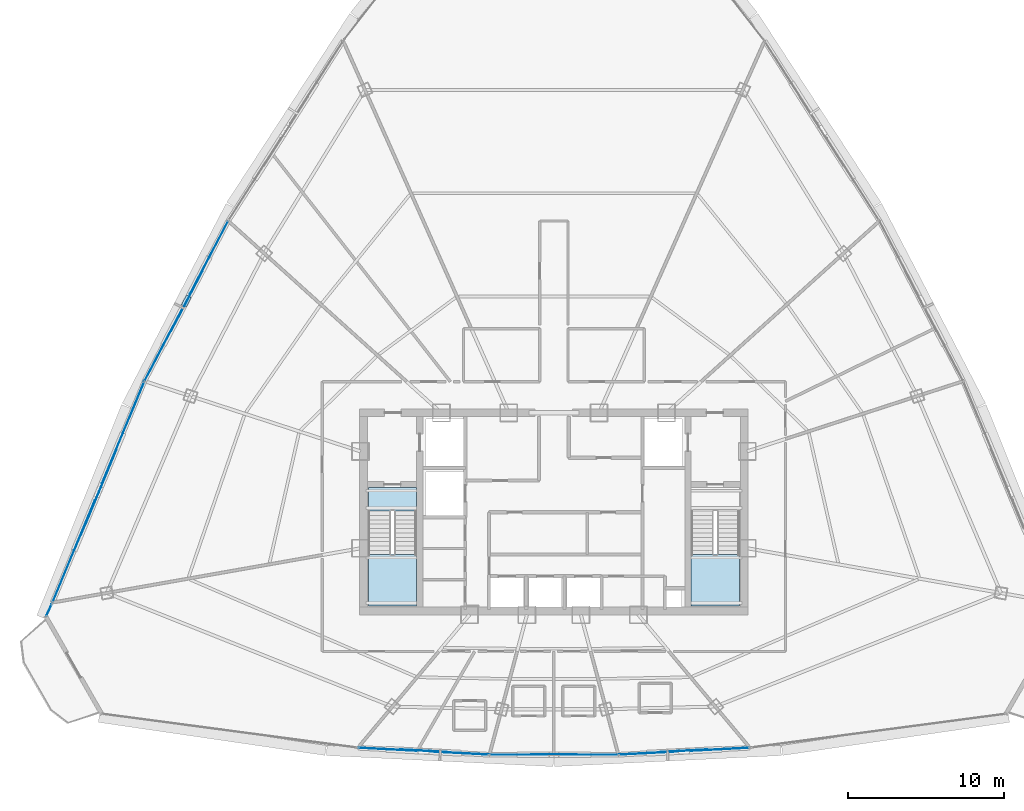
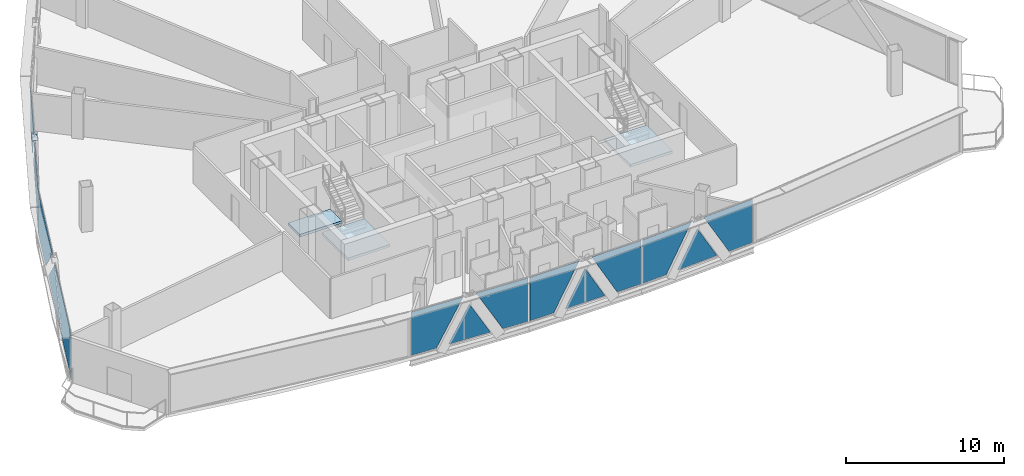
# One storey, part 28 of 37: 17 plates, 3 slabs, 8 elements without a shape of their own.
"""IFC4 building model written with IfcOpenShell, lengths in metres."""

from ifc_helpers import new_model, si_unit, direction, frame, origin, origin_2d, place, context, subcontext, project, spatial, polyline, rectangle, outline, extrude, source, transform, mapped, material, layer, layer_set, type_object, element, aggregate, save


model = new_model("IFC4")

# Units and contexts
model_context = context("Model", 3, precision=1e-05, world=origin(), true_north=direction((0.0, 1.0)))
body_context = subcontext(model_context, "Body", "Model", "MODEL_VIEW")
ifc_project = project(units=[si_unit("LENGTHUNIT", "METRE"), si_unit("AREAUNIT", "SQUARE_METRE"), si_unit("VOLUMEUNIT", "CUBIC_METRE"), si_unit("PLANEANGLEUNIT", "RADIAN"), si_unit("MASSUNIT", "GRAM", prefix="KILO"), si_unit("THERMODYNAMICTEMPERATUREUNIT", "KELVIN"), si_unit("POWERUNIT", "WATT")], contexts=[model_context])

# Site, building, storey
site_placement = place(None, origin())
site = spatial("IfcSite", under=ifc_project, at=site_placement, CompositionType="ELEMENT")
building_placement = place(site_placement, origin())
building = spatial("IfcBuilding", under=site, at=building_placement, Name="Yunzhuo Pagoda Commons", CompositionType="ELEMENT")
storey_placement = place(building_placement, frame((0.0, 0.0, 277.56005859375)))
storey = spatial("IfcBuildingStorey", under=building, at=storey_placement, Name="L69", CompositionType="ELEMENT", Elevation=277.56005859375)

# Curtain wall, plates
ifc_material_1 = material(Name="Anodized aluminium 6063-T6", Category="aluminium")
ifc_layer_1 = layer(ifc_material_1, 0.139892578125)
ifc_layer_set_1 = layer_set([ifc_layer_1], Name="Anodized aluminium 6063-T6")
curtain_wall_type = type_object("IfcCurtainWallType", Name="CW-HI High-Zone Ribbon Curtain Wall", PredefinedType="NOTDEFINED", material=ifc_layer_set_1)
curtain_wall_1_placement = place(storey_placement, origin())
curtain_wall_1 = element("IfcCurtainWall", 1, at=curtain_wall_1_placement, inside=storey, type_object=curtain_wall_type, Name="L69 curtain wall CW-L69-F1B2", PredefinedType="NOTDEFINED")
ifc_material_2 = material(Name="Tempered low-e double glazing", Category="glass")
ifc_layer_2 = layer(ifc_material_2, 0.02587890625)
ifc_layer_set_2 = layer_set([ifc_layer_2], Name="Tempered low-e double glazing")
plate_type_1 = type_object("IfcPlateType", Name="CW-HI-P Low-E Double Glazing 26", PredefinedType="CURTAIN_PANEL", material=ifc_layer_set_2)
plate_1_placement = place(storey_placement, frame((37.33740234375, 18.634521484375, 1.73486328125), z_axis=(-0.052821657014, -0.998603961814, 0.0), x_axis=(0.998603961814, -0.052821657014, 0.0)))
plate_1 = element("IfcPlate", 2, at=plate_1_placement, type_object=plate_type_1, Name="CW panel 1.1 lite 1", PredefinedType="CURTAIN_PANEL", context=body_context, shape_type="SweptSolid", body=[
    extrude(outline(polyline([(-1.847900390625, -1.679931640625), (-0.05419921875, -1.679931640625), (1.847900390625, 1.679931640625), (-1.847900390625, 1.679931640625), (-1.847900390625, -1.679931640625)])), origin(), (0.0, 0.0, 1.0), 0.028076171875),
])
plate_2_placement = place(storey_placement, frame((39.6513671875, 18.542236328125, 1.376708984375), z_axis=(-0.052821657014, -0.998603961814, 0.0), x_axis=(0.998603961814, -0.052821657014, 0.0)))
plate_2 = element("IfcPlate", 3, at=plate_2_placement, type_object=plate_type_1, Name="CW panel 1.1 lite 2", PredefinedType="CURTAIN_PANEL", context=body_context, shape_type="SweptSolid", body=[
    extrude(outline(polyline([(-1.496826171875, -1.32177734375), (1.496826171875, -1.32177734375), (0.0, 1.32177734375), (-1.496826171875, -1.32177734375)])), origin(), (0.0, 0.0, 1.0), 0.028076171875),
])
plate_3_placement = place(storey_placement, frame((41.96240234375, 18.389892578125, 1.73486328125), z_axis=(-0.052821657014, -0.998603961814, 0.0), x_axis=(0.998603961814, -0.052821657014, 0.0)))
plate_3 = element("IfcPlate", 4, at=plate_3_placement, type_object=plate_type_1, Name="CW panel 1.1 lite 3", PredefinedType="CURTAIN_PANEL", context=body_context, shape_type="SweptSolid", body=[
    extrude(outline(polyline([(-1.847900390625, 1.679931640625), (0.054443359375, -1.679931640625), (1.847900390625, -1.679931640625), (1.847900390625, 1.679931640625), (-1.847900390625, 1.679931640625)])), origin(), (0.0, 0.0, 1.0), 0.028076171875),
])
aggregate(curtain_wall_1, [plate_1, plate_2, plate_3])

curtain_wall_2_placement = place(storey_placement, origin())
curtain_wall_2 = element("IfcCurtainWall", 5, at=curtain_wall_2_placement, inside=storey, type_object=curtain_wall_type, Name="L69 curtain wall CW-L69-F1B3", PredefinedType="NOTDEFINED")
plate_4_placement = place(storey_placement, frame((45.73095703125, 18.2890625, 1.73486328125), z_axis=(0.0, -1.0, 0.0), x_axis=(1.0, 0.0, 0.0)))
plate_4 = element("IfcPlate", 6, at=plate_4_placement, type_object=plate_type_1, Name="CW panel 1.1 lite 1", PredefinedType="CURTAIN_PANEL", context=body_context, shape_type="SweptSolid", body=[
    extrude(outline(polyline([(-1.80419921875, -1.679931640625), (-0.057373046875, -1.679931640625), (1.80419921875, 1.679931640625), (-1.80419921875, 1.679931640625), (-1.80419921875, -1.679931640625)])), origin(), (0.0, 0.0, 1.0), 0.028076171875),
])
plate_5_placement = place(storey_placement, frame((48.0, 18.3193359375, 1.370361328125), z_axis=(0.0, -1.0, 0.0), x_axis=(1.0, 0.0, 0.0)))
plate_5 = element("IfcPlate", 7, at=plate_5_placement, type_object=plate_type_1, Name="CW panel 1.1 lite 2", PredefinedType="CURTAIN_PANEL", context=body_context, shape_type="SweptSolid", body=[
    extrude(outline(polyline([(-1.45751953125, -1.3154296875), (1.45751953125, -1.3154296875), (0.0, 1.3154296875), (-1.45751953125, -1.3154296875)])), origin(), (0.0, 0.0, 1.0), 0.028076171875),
])
plate_6_placement = place(storey_placement, frame((50.26904296875, 18.2890625, 1.73486328125), z_axis=(0.0, -1.0, 0.0), x_axis=(1.0, 0.0, 0.0)))
plate_6 = element("IfcPlate", 8, at=plate_6_placement, type_object=plate_type_1, Name="CW panel 1.1 lite 3", PredefinedType="CURTAIN_PANEL", context=body_context, shape_type="SweptSolid", body=[
    extrude(outline(polyline([(-1.80419921875, 1.679931640625), (0.057373046875, -1.679931640625), (1.80419921875, -1.679931640625), (1.80419921875, 1.679931640625), (-1.80419921875, 1.679931640625)])), origin(), (0.0, 0.0, 1.0), 0.028076171875),
])
aggregate(curtain_wall_2, [plate_4, plate_5, plate_6])

curtain_wall_3_placement = place(storey_placement, origin())
curtain_wall_3 = element("IfcCurtainWall", 9, at=curtain_wall_3_placement, inside=storey, type_object=curtain_wall_type, Name="L69 curtain wall CW-L69-F1B4", PredefinedType="NOTDEFINED")
plate_7_placement = place(storey_placement, frame((54.03759765625, 18.389892578125, 1.73486328125), z_axis=(0.052821657014, -0.998603961814, 0.0), x_axis=(0.998603961814, 0.052821657014, 0.0)))
plate_7 = element("IfcPlate", 10, at=plate_7_placement, type_object=plate_type_1, Name="CW panel 1.1 lite 1", PredefinedType="CURTAIN_PANEL", context=body_context, shape_type="SweptSolid", body=[
    extrude(outline(polyline([(-1.847900390625, -1.679931640625), (-0.054443359375, -1.679931640625), (1.847900390625, 1.679931640625), (-1.847900390625, 1.679931640625), (-1.847900390625, -1.679931640625)])), origin(), (0.0, 0.0, 1.0), 0.028076171875),
])
plate_8_placement = place(storey_placement, frame((56.3486328125, 18.542236328125, 1.376708984375), z_axis=(0.052821657014, -0.998603961814, 0.0), x_axis=(0.998603961814, 0.052821657014, 0.0)))
plate_8 = element("IfcPlate", 11, at=plate_8_placement, type_object=plate_type_1, Name="CW panel 1.1 lite 2", PredefinedType="CURTAIN_PANEL", context=body_context, shape_type="SweptSolid", body=[
    extrude(outline(polyline([(-1.496826171875, -1.32177734375), (1.496826171875, -1.32177734375), (0.0, 1.32177734375), (-1.496826171875, -1.32177734375)])), origin(), (0.0, 0.0, 1.0), 0.028076171875),
])
plate_9_placement = place(storey_placement, frame((58.66259765625, 18.634521484375, 1.73486328125), z_axis=(0.052821657014, -0.998603961814, 0.0), x_axis=(0.998603961814, 0.052821657014, 0.0)))
plate_9 = element("IfcPlate", 12, at=plate_9_placement, type_object=plate_type_1, Name="CW panel 1.1 lite 3", PredefinedType="CURTAIN_PANEL", context=body_context, shape_type="SweptSolid", body=[
    extrude(outline(polyline([(-1.847900390625, 1.679931640625), (0.05419921875, -1.679931640625), (1.847900390625, -1.679931640625), (1.847900390625, 1.679931640625), (-1.847900390625, 1.679931640625)])), origin(), (0.0, 0.0, 1.0), 0.028076171875),
])
aggregate(curtain_wall_3, [plate_7, plate_8, plate_9])

curtain_wall_4_placement = place(storey_placement, origin())
curtain_wall_4 = element("IfcCurtainWall", 13, at=curtain_wall_4_placement, inside=storey, type_object=curtain_wall_type, Name="L69 curtain wall CW-L69-F3B3", PredefinedType="NOTDEFINED")
plate_10_placement = place(storey_placement, frame((25.895751953125, 50.13330078125, 1.73486328125), z_axis=(-0.886404488049, 0.462911528876, 0.0), x_axis=(-0.462911528876, -0.886404488049, 0.0)))
plate_10 = element("IfcPlate", 14, at=plate_10_placement, type_object=plate_type_1, Name="CW panel 1.1 lite 1", PredefinedType="CURTAIN_PANEL", context=body_context, shape_type="SweptSolid", body=[
    extrude(outline(polyline([(-2.605712890625, -1.679931640625), (-0.00439453125, -1.679931640625), (2.605712890625, 1.679931640625), (-2.605712890625, 1.679931640625), (-2.605712890625, -1.679931640625)])), origin(), (0.0, 0.0, 1.0), 0.028076171875),
])
plate_11_placement = place(storey_placement, frame((24.4736328125, 47.34521484375, 1.45263671875), z_axis=(-0.886404488049, 0.462911528876, 0.0), x_axis=(-0.462911528876, -0.886404488049, 0.0)))
plate_11 = element("IfcPlate", 15, at=plate_11_placement, type_object=plate_type_1, Name="CW panel 1.1 lite 2", PredefinedType="CURTAIN_PANEL", context=body_context, shape_type="SweptSolid", body=[
    extrude(outline(polyline([(-2.171875, -1.397705078125), (2.171875, -1.397705078125), (0.0, 1.397705078125), (-2.171875, -1.397705078125)])), origin(), (0.0, 0.0, 1.0), 0.028076171875),
])
plate_12_placement = place(storey_placement, frame((22.998046875, 44.5849609375, 1.73486328125), z_axis=(-0.886404488049, 0.462911528876, 0.0), x_axis=(-0.462911528876, -0.886404488049, 0.0)))
plate_12 = element("IfcPlate", 16, at=plate_12_placement, type_object=plate_type_1, Name="CW panel 1.1 lite 3", PredefinedType="CURTAIN_PANEL", context=body_context, shape_type="SweptSolid", body=[
    extrude(outline(polyline([(-2.605712890625, 1.679931640625), (0.00439453125, -1.679931640625), (2.605712890625, -1.679931640625), (2.605712890625, 1.679931640625), (-2.605712890625, 1.679931640625)])), origin(), (0.0, 0.0, 1.0), 0.028076171875),
])
aggregate(curtain_wall_4, [plate_10, plate_11, plate_12])

curtain_wall_5_placement = place(storey_placement, origin())
curtain_wall_5 = element("IfcCurtainWall", 17, at=curtain_wall_5_placement, inside=storey, type_object=curtain_wall_type, Name="L69 curtain wall CW-L69-F3B4", PredefinedType="NOTDEFINED")
plate_13_placement = place(storey_placement, frame((20.393310546875, 38.92431640625, 1.73486328125), z_axis=(-0.923393531316, 0.383854642182, 0.0), x_axis=(-0.383854642182, -0.923393531316, 0.0)))
plate_13 = element("IfcPlate", 18, at=plate_13_placement, type_object=plate_type_1, Name="CW panel 1.1 lite 1", PredefinedType="CURTAIN_PANEL", context=body_context, shape_type="SweptSolid", body=[
    extrude(outline(polyline([(-3.5126953125, -1.679931640625), (0.050048828125, -1.679931640625), (3.5126953125, 1.679931640625), (-3.5126953125, 1.679931640625), (-3.5126953125, -1.679931640625)])), origin(), (0.0, 0.0, 1.0), 0.028076171875),
])
plate_14_placement = place(storey_placement, frame((18.841552734375, 35.113037109375, 1.49755859375), z_axis=(-0.923393531316, 0.383854642182, 0.0), x_axis=(-0.383854642182, -0.923393531316, 0.0)))
plate_14 = element("IfcPlate", 19, at=plate_14_placement, type_object=plate_type_1, Name="CW panel 1.1 lite 2", PredefinedType="CURTAIN_PANEL", context=body_context, shape_type="SweptSolid", body=[
    extrude(outline(polyline([(-2.973388671875, -1.442626953125), (2.973388671875, -1.442626953125), (0.0, 1.442626953125), (-2.973388671875, -1.442626953125)])), origin(), (0.0, 0.0, 1.0), 0.028076171875),
])
plate_15_placement = place(storey_placement, frame((17.234130859375, 31.32470703125, 1.73486328125), z_axis=(-0.923393531316, 0.383854642182, 0.0), x_axis=(-0.383854642182, -0.923393531316, 0.0)))
plate_15 = element("IfcPlate", 20, at=plate_15_placement, type_object=plate_type_1, Name="CW panel 1.1 lite 3", PredefinedType="CURTAIN_PANEL", context=body_context, shape_type="SweptSolid", body=[
    extrude(outline(polyline([(-3.5126953125, 1.679931640625), (-0.05029296875, -1.679931640625), (3.5126953125, -1.679931640625), (3.5126953125, 1.679931640625), (-3.5126953125, 1.679931640625)])), origin(), (0.0, 0.0, 1.0), 0.028076171875),
])
aggregate(curtain_wall_5, [plate_13, plate_14, plate_15])

# Stair, slabs
ifc_material_3 = material(Name="Concrete C40", Category="concrete")
stair_type_1 = type_object("IfcStairType", Name="ST-C1 Core Smokeproof Stair ST1", PredefinedType="HALF_TURN_STAIR", material=ifc_material_3)
stair_1_placement = place(storey_placement, origin())
stair_1 = element("IfcStair", 21, at=stair_1_placement, inside=storey, type_object=stair_type_1, Name="L69 Core smokeproof stair ST1", PredefinedType="HALF_TURN_STAIR")
ifc_layer_3 = layer(ifc_material_3, 0.199951171875)
ifc_layer_set_3 = layer_set([ifc_layer_3], Name="Concrete C40")
slab_type_1 = type_object("IfcSlabType", Name="SL-LND1 Stair Landing Slab 200", PredefinedType="LANDING", material=ifc_layer_set_3)
slab_1_placement = place(storey_placement, frame((0.0, 0.0, 1.6650390625)))
slab_1 = element("IfcSlab", 22, at=slab_1_placement, type_object=slab_type_1, Name="ST1 landing 1", PredefinedType="LANDING", context=body_context, shape_type="SweptSolid", body=[
    extrude(outline(polyline([(36.10009765625, 31.10009765625), (36.10009765625, 27.800048828125), (39.199951171875, 27.800048828125), (39.199951171875, 31.10009765625), (36.10009765625, 31.10009765625)])), origin(), (0.0, 0.0, 1.0), 0.199951171875),
])
slab_2_placement = place(storey_placement, frame((0.0, 0.0, -0.199951171875)))
slab_2 = element("IfcSlab", 23, at=slab_2_placement, type_object=slab_type_1, Name="ST1 floor landing L69", PredefinedType="LANDING", context=body_context, shape_type="SweptSolid", body=[
    extrude(outline(polyline([(36.10009765625, 35.39990234375), (36.10009765625, 33.89990234375), (39.199951171875, 33.89990234375), (39.199951171875, 35.39990234375), (36.10009765625, 35.39990234375)])), origin(), (0.0, 0.0, 1.0), 0.199951171875),
])
aggregate(stair_1, [slab_1, slab_2])

# Stair, slab
stair_type_2 = type_object("IfcStairType", Name="ST-C2 Core Smokeproof Stair ST2", PredefinedType="HALF_TURN_STAIR", material=ifc_material_3)
stair_2_placement = place(storey_placement, origin())
stair_2 = element("IfcStair", 24, at=stair_2_placement, inside=storey, type_object=stair_type_2, Name="L69 Core smokeproof stair ST2", PredefinedType="HALF_TURN_STAIR")
ifc_layer_4 = layer(ifc_material_3, 0.201904296875)
ifc_layer_set_4 = layer_set([ifc_layer_4], Name="Concrete C40")
slab_type_2 = type_object("IfcSlabType", Name="SL-LND2 Stair Landing Slab 202", PredefinedType="LANDING", material=ifc_layer_set_4)
slab_3_placement = place(storey_placement, frame((0.0, 0.0, 1.6650390625)))
slab_3 = element("IfcSlab", 25, at=slab_3_placement, type_object=slab_type_2, Name="ST2 landing 1", PredefinedType="LANDING", context=body_context, shape_type="SweptSolid", body=[
    extrude(outline(polyline([(56.800048828125, 31.10009765625), (56.800048828125, 27.800048828125), (59.89990234375, 27.800048828125), (59.89990234375, 31.10009765625), (56.800048828125, 31.10009765625)])), origin(), (0.0, 0.0, 1.0), 0.199951171875),
])
aggregate(stair_2, [slab_3])

# Plate
ifc_material_4 = material(Name="Structural steel Q355B", Category="steel")
ifc_layer_5 = layer(ifc_material_4, 0.028076171875)
ifc_layer_set_5 = layer_set([ifc_layer_5], Name="Structural steel Q355B")
plate_type_2 = type_object("IfcPlateType", Name="SP-ND1 Lattice Node Cap Plate 800x500x28", PredefinedType="USERDEFINED", material=ifc_layer_set_5)
shared_shape_1 = source(origin(), body_context, "Body", "SweptSolid", [
    extrude(rectangle(XDim=0.699951171875, YDim=0.35009765625, at=origin_2d()), origin(), (0.0, 0.0, 1.0), 0.035888671875),
])
plate_16_placement = place(storey_placement, frame((24.4345703125, 47.36572265625, 3.43212890625), z_axis=(0.0, 0.0, 1.0), x_axis=(-0.462909311772, -0.886405645895, 0.0)))
element("IfcPlate", 26, at=plate_16_placement, inside=storey, type_object=plate_type_2, Name="L69 setback lattice tie plate F3.2L", ObjectType="STIFFENER_PLATE", PredefinedType="USERDEFINED", context=body_context, shape_type="MappedRepresentation", body=[
    mapped(shared_shape_1, transform((0.0, 0.0, 0.0), scale=1.0)),
])

# Curtain wall, plate
curtain_wall_6_placement = place(storey_placement, origin())
curtain_wall_6 = element("IfcCurtainWall", 27, at=curtain_wall_6_placement, inside=storey, type_object=curtain_wall_type, Name="L69 curtain wall CW-L69-F3B5", PredefinedType="NOTDEFINED")
shared_shape_2 = source(origin(), body_context, "Body", "SweptSolid", [
    extrude(rectangle(XDim=0.802734375, YDim=0.028076171875, at=origin_2d()), origin(), (0.0, 0.0, 1.0), 3.360107421875),
])
plate_17_placement = place(storey_placement, frame((15.623779296875, 27.544677734375, 0.0546875), z_axis=(0.0, 0.0, 1.0), x_axis=(-0.421407442389, -0.906871417291, 0.0)))
plate_17 = element("IfcPlate", 28, at=plate_17_placement, type_object=plate_type_1, Name="CW panel 1.1", PredefinedType="CURTAIN_PANEL", context=body_context, shape_type="MappedRepresentation", body=[
    mapped(shared_shape_2, transform((0.0, 0.0, 0.0), scale=1.0)),
])
aggregate(curtain_wall_6, [plate_17])

save(model, "model.ifc")
